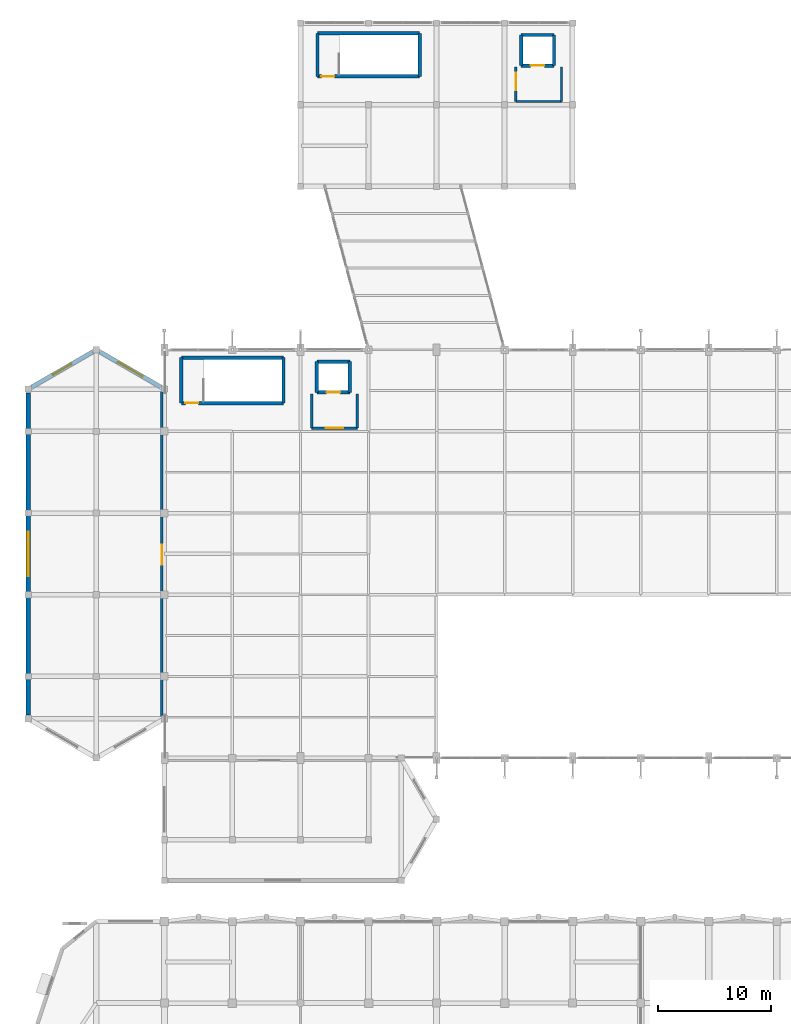
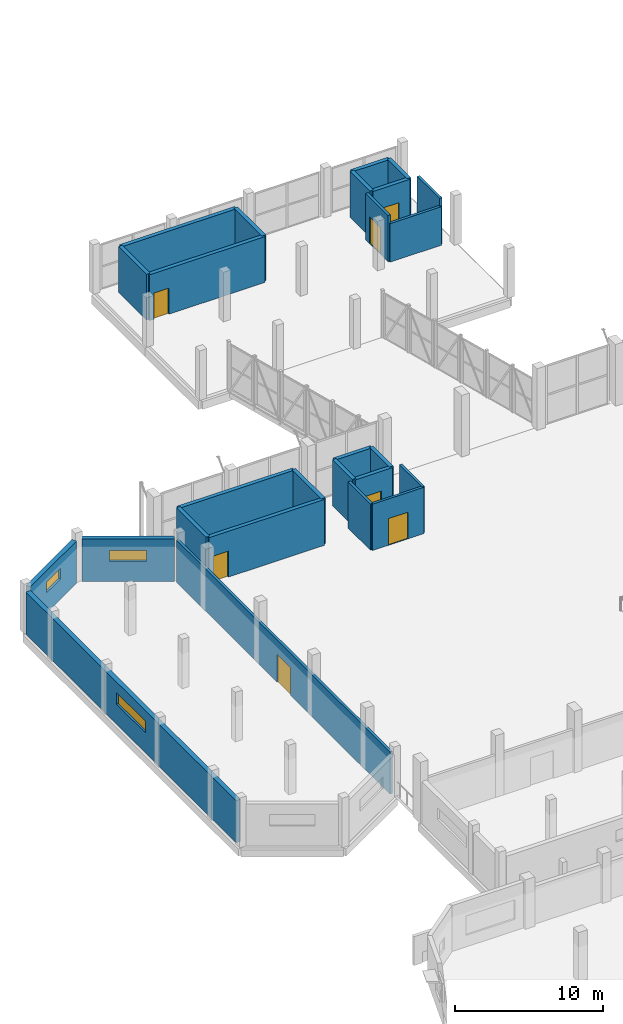
# One storey, part 109 of 127: 26 walls, 7 doors, 3 windows, 10 openings.
"""IFC4 building model written with IfcOpenShell, lengths in metres."""

from ifc_helpers import new_model, si_unit, direction, frame, frame_2d, origin, place, context, subcontext, project, spatial, rectangle, extrude, material, layer, layer_set, type_object, element, fill, save


model = new_model("IFC4")

# Units and contexts
model_context = context("Model", 3, precision=1e-05, world=origin(), true_north=direction((0.0, 1.0)))
body_context = subcontext(model_context, "Body", "Model", "MODEL_VIEW")
ifc_project = project(units=[si_unit("LENGTHUNIT", "METRE"), si_unit("AREAUNIT", "SQUARE_METRE"), si_unit("VOLUMEUNIT", "CUBIC_METRE"), si_unit("PLANEANGLEUNIT", "RADIAN"), si_unit("MASSUNIT", "GRAM", prefix="KILO")], contexts=[model_context])

# Site, building, storey
site_placement = place(None, origin())
site = spatial("IfcSite", under=ifc_project, at=site_placement, CompositionType="ELEMENT")
building_placement = place(site_placement, origin())
building = spatial("IfcBuilding", under=site, at=building_placement, Name="Dunvalen Ferry Terminal", CompositionType="ELEMENT")
storey_placement = place(building_placement, frame((0.0, 0.0, 5.760009765625)))
storey = spatial("IfcBuildingStorey", under=building, at=storey_placement, Name="L01", CompositionType="ELEMENT", Elevation=5.760009765625)

# Wall, opening, window
ifc_material_1 = material(Name="Precast concrete C40/50", Category="concrete")
ifc_layer_1 = layer(ifc_material_1, 0.360107421875, Name="Precast concrete C40/50")
ifc_layer_set_1 = layer_set([ifc_layer_1], Name="Precast concrete C40/50")
wall_type_1 = type_object("IfcWallType", Name="ENV-WL-ANX360", PredefinedType="SOLIDWALL", material=ifc_layer_set_1)
wall_1_placement = place(storey_placement, frame((11.697021484375, 83.11083984375, 0.0), z_axis=(0.0, 0.0, 1.0), x_axis=(-0.866025010818, 0.500000680637, 0.0)))
wall_1 = element("IfcWall", 1, at=wall_1_placement, inside=storey, type_object=wall_type_1, Name="L01 V1AW Faceted Precast Wall 03", PredefinedType="SOLIDWALL", context=body_context, shape_type="SweptSolid", body=[
    extrude(rectangle(XDim=6.228515625, YDim=0.360107421875, at=frame_2d((3.1142578125, 0.0))), origin(), (0.0, 0.0, 1.0), 3.469970703125),
])
opening_1_placement = place(wall_1_placement, frame((1.864013671875, 0.0, 1.64990234375)))
opening_1 = element("IfcOpeningElement", 2, at=opening_1_placement, cuts=wall_1, Name="Opening W-15", PredefinedType="OPENING", context=body_context, shape_type="SweptSolid", body=[
    extrude(rectangle(XDim=2.5, YDim=0.89990234375, at=frame_2d((1.25, 0.449951171875))), frame((0.0, 0.18994140625, 0.0), z_axis=(0.0, -1.0, 0.0), x_axis=(1.0, 0.0, 0.0)), (0.0, 0.0, 1.0), 0.380126953125),
])
ifc_material_2 = material(Name="Thermally broken aluminium and double glazing", Category="aluminium")
window_type_1 = type_object("IfcWindowType", Name="ENV-WIN-CLR-15", PartitioningType="SINGLE_PANEL", PredefinedType="WINDOW", material=ifc_material_2)
window_1_placement = place(opening_1_placement, origin())
window_1 = element("IfcWindow", 3, at=window_1_placement, inside=storey, type_object=window_type_1, Name="L01 V1AW Clerestory Window 03", OverallHeight=0.89990234375, OverallWidth=2.5, PartitioningType="SINGLE_PANEL", PredefinedType="WINDOW", context=body_context, shape_type="SweptSolid", body=[
    extrude(rectangle(XDim=2.5, YDim=0.89990234375, at=frame_2d((1.25, 0.449951171875))), frame((0.0, 0.030029296875, 0.0), z_axis=(0.0, -1.0, 0.0), x_axis=(1.0, 0.0, 0.0)), (0.0, 0.0, 1.0), 0.06005859375),
])
fill(opening_1, window_1)

wall_2_placement = place(storey_placement, frame((5.697021484375, 86.22509765625, 0.0), z_axis=(0.0, 0.0, 1.0), x_axis=(-0.866025010818, -0.500000680637, 0.0)))
wall_2 = element("IfcWall", 4, at=wall_2_placement, inside=storey, type_object=wall_type_1, Name="L01 V1AW Faceted Precast Wall 04", PredefinedType="SOLIDWALL", context=body_context, shape_type="SweptSolid", body=[
    extrude(rectangle(XDim=6.228515625, YDim=0.360107421875, at=frame_2d((3.1142578125, 0.0))), origin(), (0.0, 0.0, 1.0), 3.469970703125),
])
opening_2_placement = place(wall_2_placement, frame((2.1640625, 0.0, 1.64990234375)))
opening_2 = element("IfcOpeningElement", 5, at=opening_2_placement, cuts=wall_2, Name="Opening W-16", PredefinedType="OPENING", context=body_context, shape_type="SweptSolid", body=[
    extrude(rectangle(XDim=1.89990234375, YDim=0.89990234375, at=frame_2d((0.949951171875, 0.449951171875))), frame((0.0, 0.18994140625, 0.0), z_axis=(0.0, -1.0, 0.0), x_axis=(1.0, 0.0, 0.0)), (0.0, 0.0, 1.0), 0.380126953125),
])
window_type_2 = type_object("IfcWindowType", Name="ENV-WIN-CLR-16", PartitioningType="SINGLE_PANEL", PredefinedType="WINDOW", material=ifc_material_2)
window_2_placement = place(opening_2_placement, origin())
window_2 = element("IfcWindow", 6, at=window_2_placement, inside=storey, type_object=window_type_2, Name="L01 V1AW Clerestory Window 04", OverallHeight=0.89990234375, OverallWidth=1.89990234375, PartitioningType="SINGLE_PANEL", PredefinedType="WINDOW", context=body_context, shape_type="SweptSolid", body=[
    extrude(rectangle(XDim=1.89990234375, YDim=0.89990234375, at=frame_2d((0.949951171875, 0.449951171875))), frame((0.0, 0.030029296875, 0.0), z_axis=(0.0, -1.0, 0.0), x_axis=(1.0, 0.0, 0.0)), (0.0, 0.0, 1.0), 0.06005859375),
])
fill(opening_2, window_2)

wall_3_placement = place(storey_placement, frame((0.0, 82.5859375, 0.0), z_axis=(0.0, 0.0, 1.0), x_axis=(0.0, -1.0, 0.0)))
wall_3 = element("IfcWall", 7, at=wall_3_placement, inside=storey, type_object=wall_type_1, Name="L01 V1AW Faceted Precast Wall 05", PredefinedType="SOLIDWALL", context=body_context, shape_type="SweptSolid", body=[
    extrude(rectangle(XDim=28.371826171875, YDim=0.360107421875, at=frame_2d((14.18603515625, 0.0))), origin(), (0.0, 0.0, 1.0), 3.469970703125),
])
opening_3_placement = place(wall_3_placement, frame((12.23583984375, 0.0, 1.64990234375)))
opening_3 = element("IfcOpeningElement", 8, at=opening_3_placement, cuts=wall_3, Name="Opening W-13", PredefinedType="OPENING", context=body_context, shape_type="SweptSolid", body=[
    extrude(rectangle(XDim=3.89990234375, YDim=0.949951171875, at=frame_2d((1.949951171875, 0.47509765625))), frame((0.0, 0.18994140625, 0.0), z_axis=(0.0, -1.0, 0.0), x_axis=(1.0, 0.0, 0.0)), (0.0, 0.0, 1.0), 0.380126953125),
])
window_type_3 = type_object("IfcWindowType", Name="ENV-WIN-CLR-13", PartitioningType="SINGLE_PANEL", PredefinedType="WINDOW", material=ifc_material_2)
window_3_placement = place(opening_3_placement, origin())
window_3 = element("IfcWindow", 9, at=window_3_placement, inside=storey, type_object=window_type_3, Name="L01 V1AW Clerestory Window 05", OverallHeight=0.949951171875, OverallWidth=3.89990234375, PartitioningType="SINGLE_PANEL", PredefinedType="WINDOW", context=body_context, shape_type="SweptSolid", body=[
    extrude(rectangle(XDim=3.89990234375, YDim=0.949951171875, at=frame_2d((1.949951171875, 0.47509765625))), frame((0.0, 0.030029296875, 0.0), z_axis=(0.0, -1.0, 0.0), x_axis=(1.0, 0.0, 0.0)), (0.0, 0.0, 1.0), 0.06005859375),
])
fill(opening_3, window_3)

# Wall
ifc_material_3 = material(Name="Autoclaved aerated concrete blockwork", Category="masonry")
ifc_layer_2 = layer(ifc_material_3, 0.199951171875, Name="Autoclaved aerated concrete blockwork")
ifc_layer_set_2 = layer_set([ifc_layer_2], Name="Autoclaved aerated concrete blockwork")
wall_type_2 = type_object("IfcWallType", Name="INT-WL-CMP200", PredefinedType="PARTITIONING", material=ifc_layer_set_2)
wall_4_placement = place(storey_placement, frame((24.989990234375, 82.510009765625, 0.0), z_axis=(0.0, 0.0, 1.0), x_axis=(0.0, -1.0, 0.0)))
element("IfcWall", 10, at=wall_4_placement, inside=storey, type_object=wall_type_2, Name="L01 L01 Lift Lobby LP-01 Partition 1", PredefinedType="PARTITIONING", context=body_context, shape_type="SweptSolid", body=[
    extrude(rectangle(XDim=3.02001953125, YDim=0.199951171875, at=frame_2d((1.510009765625, 0.0))), origin(), (0.0, 0.0, 1.0), 3.820068359375),
])

# Wall, opening, door
wall_5_placement = place(storey_placement, frame((24.989990234375, 79.489990234375, 0.0), z_axis=(0.0, 0.0, 1.0), x_axis=(1.0, 0.0, 0.0)))
wall_5 = element("IfcWall", 11, at=wall_5_placement, inside=storey, type_object=wall_type_2, Name="L01 L01 Lift Lobby LP-01 Partition 2", PredefinedType="PARTITIONING", context=body_context, shape_type="SweptSolid", body=[
    extrude(rectangle(XDim=4.02001953125, YDim=0.199951171875, at=frame_2d((2.010009765625, 0.0))), origin(), (0.0, 0.0, 1.0), 3.820068359375),
])
opening_4_placement = place(wall_5_placement, frame((1.260009765625, 0.0, 0.0)))
opening_4 = element("IfcOpeningElement", 12, at=opening_4_placement, cuts=wall_5, Name="Opening ID-04", PredefinedType="OPENING", context=body_context, shape_type="SweptSolid", body=[
    extrude(rectangle(XDim=1.5, YDim=2.199951171875, at=frame_2d((0.75, 1.10009765625))), frame((0.0, 0.10986328125, 0.0), z_axis=(0.0, -1.0, 0.0), x_axis=(1.0, 0.0, 0.0)), (0.0, 0.0, 1.0), 0.219970703125),
])
ifc_material_4 = material(Name="Anodised aluminium glazed fire door", Category="aluminium")
door_type_1 = type_object("IfcDoorType", Name="INT-DR-LOB-1500", OperationType="DOUBLE_SWING_LEFT", PredefinedType="DOOR", material=ifc_material_4)
door_1_placement = place(opening_4_placement, origin())
door_1 = element("IfcDoor", 13, at=door_1_placement, inside=storey, type_object=door_type_1, Name="L01 Lift Lobby LP-01 Door", OperationType="DOUBLE_SWING_LEFT", OverallHeight=2.199951171875, OverallWidth=1.5, PredefinedType="DOOR", context=body_context, shape_type="SweptSolid", body=[
    extrude(rectangle(XDim=1.5, YDim=2.199951171875, at=frame_2d((0.75, 1.10009765625))), frame((0.0, 0.02490234375, 0.0), z_axis=(0.0, -1.0, 0.0), x_axis=(1.0, 0.0, 0.0)), (0.0, 0.0, 1.0), 0.050048828125),
])
fill(opening_4, door_1)

# Wall
wall_6_placement = place(storey_placement, frame((29.010009765625, 79.489990234375, 0.0), z_axis=(0.0, 0.0, 1.0), x_axis=(0.0, 1.0, 0.0)))
element("IfcWall", 14, at=wall_6_placement, inside=storey, type_object=wall_type_2, Name="L01 L01 Lift Lobby LP-01 Partition 3", PredefinedType="PARTITIONING", context=body_context, shape_type="SweptSolid", body=[
    extrude(rectangle(XDim=3.02001953125, YDim=0.199951171875, at=frame_2d((1.510009765625, 0.0))), origin(), (0.0, 0.0, 1.0), 3.820068359375),
])

# Wall, opening, door
wall_7_placement = place(storey_placement, frame((42.989990234375, 111.31005859375, 0.0), z_axis=(0.0, 0.0, 1.0), x_axis=(0.0, -1.0, 0.0)))
wall_7 = element("IfcWall", 15, at=wall_7_placement, inside=storey, type_object=wall_type_2, Name="L01 L01 Lift Lobby LP-03 Partition 2", PredefinedType="PARTITIONING", context=body_context, shape_type="SweptSolid", body=[
    extrude(rectangle(XDim=3.02001953125, YDim=0.199951171875, at=frame_2d((1.510009765625, 0.0))), origin(), (0.0, 0.0, 1.0), 3.820068359375),
])
opening_5_placement = place(wall_7_placement, frame((0.508056640625, 0.0, 0.0)))
opening_5 = element("IfcOpeningElement", 16, at=opening_5_placement, cuts=wall_7, Name="Opening ID-04", PredefinedType="OPENING", context=body_context, shape_type="SweptSolid", body=[
    extrude(rectangle(XDim=1.5, YDim=2.199951171875, at=frame_2d((0.75, 1.10009765625))), frame((0.0, 0.10986328125, 0.0), z_axis=(0.0, -1.0, 0.0), x_axis=(1.0, 0.0, 0.0)), (0.0, 0.0, 1.0), 0.219970703125),
])
door_2_placement = place(opening_5_placement, origin())
door_2 = element("IfcDoor", 17, at=door_2_placement, inside=storey, type_object=door_type_1, Name="L01 Lift Lobby LP-03 Door", OperationType="DOUBLE_SWING_LEFT", OverallHeight=2.199951171875, OverallWidth=1.5, PredefinedType="DOOR", context=body_context, shape_type="SweptSolid", body=[
    extrude(rectangle(XDim=1.5, YDim=2.199951171875, at=frame_2d((0.75, 1.10009765625))), frame((0.0, 0.02490234375, 0.0), z_axis=(0.0, -1.0, 0.0), x_axis=(1.0, 0.0, 0.0)), (0.0, 0.0, 1.0), 0.050048828125),
])
fill(opening_5, door_2)

# Walls
wall_8_placement = place(storey_placement, frame((42.989990234375, 108.2900390625, 0.0), z_axis=(0.0, 0.0, 1.0), x_axis=(1.0, 0.0, 0.0)))
element("IfcWall", 18, at=wall_8_placement, inside=storey, type_object=wall_type_2, Name="L01 L01 Lift Lobby LP-03 Partition 3", PredefinedType="PARTITIONING", context=body_context, shape_type="SweptSolid", body=[
    extrude(rectangle(XDim=4.02001953125, YDim=0.199951171875, at=frame_2d((2.010009765625, 0.0))), origin(), (0.0, 0.0, 1.0), 3.179931640625),
])
wall_9_placement = place(storey_placement, frame((47.010009765625, 108.2900390625, 0.0), z_axis=(0.0, 0.0, 1.0), x_axis=(0.0, 1.0, 0.0)))
element("IfcWall", 19, at=wall_9_placement, inside=storey, type_object=wall_type_2, Name="L01 L01 Lift Lobby LP-03 Partition 4", PredefinedType="PARTITIONING", context=body_context, shape_type="SweptSolid", body=[
    extrude(rectangle(XDim=3.02001953125, YDim=0.199951171875, at=frame_2d((1.510009765625, 0.0))), origin(), (0.0, 0.0, 1.0), 3.820068359375),
])

# Wall, opening, door
wall_10_placement = place(storey_placement, frame((11.780029296875, 53.9912109375, 0.0), z_axis=(0.0, 0.0, 1.0), x_axis=(0.0, 1.0, 0.0)))
wall_10 = element("IfcWall", 20, at=wall_10_placement, inside=storey, type_object=wall_type_2, Name="L01 L01 Outbound Baggage Screening Control Room Partition 3", PredefinedType="PARTITIONING", context=body_context, shape_type="SweptSolid", body=[
    extrude(rectangle(XDim=28.817626953125, YDim=0.199951171875, at=frame_2d((14.40869140625, 0.0))), origin(), (0.0, 0.0, 1.0), 3.469970703125),
])
opening_6_placement = place(wall_10_placement, frame((13.43359375, 0.0, 0.0)))
opening_6 = element("IfcOpeningElement", 21, at=opening_6_placement, cuts=wall_10, Name="Opening ID-07", PredefinedType="OPENING", context=body_context, shape_type="SweptSolid", body=[
    extrude(rectangle(XDim=1.800048828125, YDim=2.300048828125, at=frame_2d((0.89990234375, 1.14990234375))), frame((0.0, 0.10986328125, 0.0), z_axis=(0.0, -1.0, 0.0), x_axis=(1.0, 0.0, 0.0)), (0.0, 0.0, 1.0), 0.219970703125),
])
ifc_material_5 = material(Name="Thermally broken aluminium fire door", Category="aluminium")
door_type_2 = type_object("IfcDoorType", Name="INT-DR-ANX-1800", OperationType="DOUBLE_SWING_LEFT", PredefinedType="DOOR", material=ifc_material_5)
door_3_placement = place(opening_6_placement, origin())
door_3 = element("IfcDoor", 22, at=door_3_placement, inside=storey, type_object=door_type_2, Name="L01 Outbound Baggage Screening Control Room Door", OperationType="DOUBLE_SWING_LEFT", OverallHeight=2.300048828125, OverallWidth=1.800048828125, PredefinedType="DOOR", context=body_context, shape_type="SweptSolid", body=[
    extrude(rectangle(XDim=1.800048828125, YDim=2.300048828125, at=frame_2d((0.89990234375, 1.14990234375))), frame((0.0, 0.02490234375, 0.0), z_axis=(0.0, -1.0, 0.0), x_axis=(1.0, 0.0, 0.0)), (0.0, 0.0, 1.0), 0.050048828125),
])
fill(opening_6, door_3)

# Walls
ifc_material_6 = material(Name="Concrete C40/50", Category="concrete")
ifc_layer_3 = layer(ifc_material_6, 0.300048828125, Name="Concrete C40/50")
ifc_layer_set_3 = layer_set([ifc_layer_3], Name="Concrete C40/50")
wall_type_3 = type_object("IfcWallType", Name="STR-WL-SHR300", PredefinedType="SHEAR", material=ifc_layer_set_3)
for number, where, z_axis, x_axis, name in (
    (23, (13.5, 81.699951171875, 0.0), (0.0, 0.0, 1.0), (0.0, 1.0, 0.0), "L01 ST7 Core West Shear Wall"),
    (24, (22.5, 81.699951171875, 0.0), (0.0, 0.0, 1.0), (0.0, 1.0, 0.0), "L01 ST7 Core East Shear Wall"),
):
    element("IfcWall", number, at=place(storey_placement, frame(where, z_axis=z_axis, x_axis=x_axis)), inside=storey, type_object=wall_type_3, Name=name, PredefinedType="SHEAR", context=body_context, shape_type="SweptSolid", body=[
        extrude(rectangle(XDim=4.0, YDim=0.300048828125, at=frame_2d((2.0, 0.0))), origin(), (0.0, 0.0, 1.0), 3.780029296875),
    ])
for number, where, z_axis, x_axis, name in (
    (25, (25.5, 110.5, 0.0), (0.0, 0.0, 1.0), (0.0, 1.0, 0.0), "L01 ST11 Core West Shear Wall"),
    (26, (34.5, 110.5, 0.0), (0.0, 0.0, 1.0), (0.0, 1.0, 0.0), "L01 ST11 Core East Shear Wall"),
):
    element("IfcWall", number, at=place(storey_placement, frame(where, z_axis=z_axis, x_axis=x_axis)), inside=storey, type_object=wall_type_3, Name=name, PredefinedType="SHEAR", context=body_context, shape_type="SweptSolid", body=[
        extrude(rectangle(XDim=3.800048828125, YDim=0.300048828125, at=frame_2d((1.89990234375, 0.0))), origin(), (0.0, 0.0, 1.0), 3.780029296875),
    ])
wall_11_placement = place(storey_placement, frame((13.5, 85.699951171875, 0.0), z_axis=(0.0, 0.0, 1.0), x_axis=(1.0, 0.0, 0.0)))
element("IfcWall", 27, at=wall_11_placement, inside=storey, type_object=wall_type_3, Name="L01 ST7 Core North Shear Wall", PredefinedType="SHEAR", context=body_context, shape_type="SweptSolid", body=[
    extrude(rectangle(XDim=9.0, YDim=0.300048828125, at=frame_2d((4.5, 0.0))), origin(), (0.0, 0.0, 1.0), 3.780029296875),
])

# Wall, opening, door
wall_12_placement = place(storey_placement, frame((13.5, 81.699951171875, 0.0), z_axis=(0.0, 0.0, 1.0), x_axis=(1.0, 0.0, 0.0)))
wall_12 = element("IfcWall", 28, at=wall_12_placement, inside=storey, type_object=wall_type_3, Name="L01 ST7 Core South Shear Wall", PredefinedType="SHEAR", context=body_context, shape_type="SweptSolid", body=[
    extrude(rectangle(XDim=9.0, YDim=0.300048828125, at=frame_2d((4.5, 0.0))), origin(), (0.0, 0.0, 1.0), 3.780029296875),
])
opening_7_placement = place(wall_12_placement, frame((0.35009765625, 0.0, 0.0)))
opening_7 = element("IfcOpeningElement", 29, at=opening_7_placement, cuts=wall_12, Name="Opening ID-02", PredefinedType="OPENING", context=body_context, shape_type="SweptSolid", body=[
    extrude(rectangle(XDim=1.14990234375, YDim=2.14990234375, at=frame_2d((0.574951171875, 1.074951171875))), frame((0.0, 0.16015625, 0.0), z_axis=(0.0, -1.0, 0.0), x_axis=(1.0, 0.0, 0.0)), (0.0, 0.0, 1.0), 0.320068359375),
])
ifc_material_7 = material(Name="Powder-coated steel fire door", Category="steel")
door_type_3 = type_object("IfcDoorType", Name="INT-DR-STR-1150", OperationType="NOTDEFINED", PredefinedType="DOOR", material=ifc_material_7)
door_4_placement = place(opening_7_placement, frame((1.14990234375, 0.0, 0.0), z_axis=(0.0, 0.0, 1.0), x_axis=(-1.0, 0.0, 0.0)))
door_4 = element("IfcDoor", 30, at=door_4_placement, inside=storey, type_object=door_type_3, Name="L01 ST7 Escape Stair Fire Door", OperationType="SINGLE_SWING_LEFT", OverallHeight=2.14990234375, OverallWidth=1.14990234375, PredefinedType="DOOR", context=body_context, shape_type="SweptSolid", body=[
    extrude(rectangle(XDim=1.14990234375, YDim=2.14990234375, at=frame_2d((0.574951171875, 1.074951171875))), frame((0.0, 0.02490234375, 0.0), z_axis=(0.0, -1.0, 0.0), x_axis=(1.0, 0.0, 0.0)), (0.0, 0.0, 1.0), 0.050048828125),
])
fill(opening_7, door_4)

# Wall
wall_13_placement = place(storey_placement, frame((25.5, 114.300048828125, 0.0), z_axis=(0.0, 0.0, 1.0), x_axis=(1.0, 0.0, 0.0)))
element("IfcWall", 31, at=wall_13_placement, inside=storey, type_object=wall_type_3, Name="L01 ST11 Core North Shear Wall", PredefinedType="SHEAR", context=body_context, shape_type="SweptSolid", body=[
    extrude(rectangle(XDim=9.0, YDim=0.300048828125, at=frame_2d((4.5, 0.0))), origin(), (0.0, 0.0, 1.0), 3.780029296875),
])

# Wall, opening, door
wall_14_placement = place(storey_placement, frame((25.5, 110.5, 0.0), z_axis=(0.0, 0.0, 1.0), x_axis=(1.0, 0.0, 0.0)))
wall_14 = element("IfcWall", 32, at=wall_14_placement, inside=storey, type_object=wall_type_3, Name="L01 ST11 Core South Shear Wall", PredefinedType="SHEAR", context=body_context, shape_type="SweptSolid", body=[
    extrude(rectangle(XDim=9.0, YDim=0.300048828125, at=frame_2d((4.5, 0.0))), origin(), (0.0, 0.0, 1.0), 3.780029296875),
])
opening_8_placement = place(wall_14_placement, frame((0.35009765625, 0.0, 0.0)))
opening_8 = element("IfcOpeningElement", 33, at=opening_8_placement, cuts=wall_14, Name="Opening ID-02", PredefinedType="OPENING", context=body_context, shape_type="SweptSolid", body=[
    extrude(rectangle(XDim=1.14990234375, YDim=2.14990234375, at=frame_2d((0.574951171875, 1.074951171875))), frame((0.0, 0.16015625, 0.0), z_axis=(0.0, -1.0, 0.0), x_axis=(1.0, 0.0, 0.0)), (0.0, 0.0, 1.0), 0.320068359375),
])
door_5_placement = place(opening_8_placement, frame((1.14990234375, 0.0, 0.0), z_axis=(0.0, 0.0, 1.0), x_axis=(-1.0, 0.0, 0.0)))
door_5 = element("IfcDoor", 34, at=door_5_placement, inside=storey, type_object=door_type_3, Name="L01 ST11 Escape Stair Fire Door", OperationType="SINGLE_SWING_LEFT", OverallHeight=2.14990234375, OverallWidth=1.14990234375, PredefinedType="DOOR", context=body_context, shape_type="SweptSolid", body=[
    extrude(rectangle(XDim=1.14990234375, YDim=2.14990234375, at=frame_2d((0.574951171875, 1.074951171875))), frame((0.0, 0.02490234375, 0.0), z_axis=(0.0, -1.0, 0.0), x_axis=(1.0, 0.0, 0.0)), (0.0, 0.0, 1.0), 0.050048828125),
])
fill(opening_8, door_5)

wall_15_placement = place(storey_placement, frame((25.449951171875, 82.64990234375, 0.0), z_axis=(0.0, 0.0, 1.0), x_axis=(1.0, 0.0, 0.0)))
wall_15 = element("IfcWall", 35, at=wall_15_placement, inside=storey, type_object=wall_type_3, Name="L01 LP-01 Lift Shaft S Wall", PredefinedType="SHEAR", context=body_context, shape_type="SweptSolid", body=[
    extrude(rectangle(XDim=2.900146484375, YDim=0.300048828125, at=frame_2d((1.4501953125, 0.0))), origin(), (0.0, 0.0, 1.0), 3.780029296875),
])
opening_9_placement = place(wall_15_placement, frame((0.85009765625, 0.0, 0.0)))
opening_9 = element("IfcOpeningElement", 36, at=opening_9_placement, cuts=wall_15, Name="Opening LD-02", PredefinedType="OPENING", context=body_context, shape_type="SweptSolid", body=[
    extrude(rectangle(XDim=1.199951171875, YDim=2.14990234375, at=frame_2d((0.60009765625, 1.074951171875))), frame((0.0, 0.16015625, 0.0), z_axis=(0.0, -1.0, 0.0), x_axis=(1.0, 0.0, 0.0)), (0.0, 0.0, 1.0), 0.320068359375),
])
ifc_material_8 = material(Name="Brushed 316 stainless steel", Category="steel")
door_type_4 = type_object("IfcDoorType", Name="INT-DR-LFT-1200", OperationType="SLIDING_TO_LEFT", PredefinedType="DOOR", material=ifc_material_8)
door_6_placement = place(opening_9_placement, origin())
door_6 = element("IfcDoor", 37, at=door_6_placement, inside=storey, type_object=door_type_4, Name="L01 LP-01 Lift Sliding Landing Door", OperationType="SLIDING_TO_LEFT", OverallHeight=2.14990234375, OverallWidth=1.199951171875, PredefinedType="DOOR", context=body_context, shape_type="SweptSolid", body=[
    extrude(rectangle(XDim=1.199951171875, YDim=2.14990234375, at=frame_2d((0.60009765625, 1.074951171875))), frame((0.0, 0.02490234375, 0.0), z_axis=(0.0, -1.0, 0.0), x_axis=(1.0, 0.0, 0.0)), (0.0, 0.0, 1.0), 0.050048828125),
])
fill(opening_9, door_6)

# Walls
wall_16_placement = place(storey_placement, frame((25.449951171875, 85.35009765625, 0.0), z_axis=(0.0, 0.0, 1.0), x_axis=(1.0, 0.0, 0.0)))
element("IfcWall", 38, at=wall_16_placement, inside=storey, type_object=wall_type_3, Name="L01 LP-01 Lift Shaft N Wall", PredefinedType="SHEAR", context=body_context, shape_type="SweptSolid", body=[
    extrude(rectangle(XDim=2.900146484375, YDim=0.300048828125, at=frame_2d((1.4501953125, 0.0))), origin(), (0.0, 0.0, 1.0), 3.780029296875),
])
for number, where, z_axis, x_axis, name in (
    (39, (25.449951171875, 82.64990234375, 0.0), (0.0, 0.0, 1.0), (0.0, 1.0, 0.0), "L01 LP-01 Lift Shaft W Wall"),
    (40, (28.35009765625, 82.64990234375, 0.0), (0.0, 0.0, 1.0), (0.0, 1.0, 0.0), "L01 LP-01 Lift Shaft E Wall"),
):
    element("IfcWall", number, at=place(storey_placement, frame(where, z_axis=z_axis, x_axis=x_axis)), inside=storey, type_object=wall_type_3, Name=name, PredefinedType="SHEAR", context=body_context, shape_type="SweptSolid", body=[
        extrude(rectangle(XDim=2.7001953125, YDim=0.300048828125, at=frame_2d((1.35009765625, 0.0))), origin(), (0.0, 0.0, 1.0), 3.780029296875),
    ])

# Wall, opening, door
wall_17_placement = place(storey_placement, frame((43.449951171875, 111.449951171875, 0.0), z_axis=(0.0, 0.0, 1.0), x_axis=(1.0, 0.0, 0.0)))
wall_17 = element("IfcWall", 41, at=wall_17_placement, inside=storey, type_object=wall_type_3, Name="L01 LP-03 Lift Shaft S Wall", PredefinedType="SHEAR", context=body_context, shape_type="SweptSolid", body=[
    extrude(rectangle(XDim=2.900146484375, YDim=0.300048828125, at=frame_2d((1.4501953125, 0.0))), origin(), (0.0, 0.0, 1.0), 3.780029296875),
])
opening_10_placement = place(wall_17_placement, frame((0.85009765625, 0.0, 0.0)))
opening_10 = element("IfcOpeningElement", 42, at=opening_10_placement, cuts=wall_17, Name="Opening LD-02", PredefinedType="OPENING", context=body_context, shape_type="SweptSolid", body=[
    extrude(rectangle(XDim=1.199951171875, YDim=2.14990234375, at=frame_2d((0.60009765625, 1.074951171875))), frame((0.0, 0.16015625, 0.0), z_axis=(0.0, -1.0, 0.0), x_axis=(1.0, 0.0, 0.0)), (0.0, 0.0, 1.0), 0.320068359375),
])
door_7_placement = place(opening_10_placement, origin())
door_7 = element("IfcDoor", 43, at=door_7_placement, inside=storey, type_object=door_type_4, Name="L01 LP-03 Lift Sliding Landing Door", OperationType="SLIDING_TO_LEFT", OverallHeight=2.14990234375, OverallWidth=1.199951171875, PredefinedType="DOOR", context=body_context, shape_type="SweptSolid", body=[
    extrude(rectangle(XDim=1.199951171875, YDim=2.14990234375, at=frame_2d((0.60009765625, 1.074951171875))), frame((0.0, 0.02490234375, 0.0), z_axis=(0.0, -1.0, 0.0), x_axis=(1.0, 0.0, 0.0)), (0.0, 0.0, 1.0), 0.050048828125),
])
fill(opening_10, door_7)

# Walls
wall_18_placement = place(storey_placement, frame((43.449951171875, 114.14990234375, 0.0), z_axis=(0.0, 0.0, 1.0), x_axis=(1.0, 0.0, 0.0)))
element("IfcWall", 44, at=wall_18_placement, inside=storey, type_object=wall_type_3, Name="L01 LP-03 Lift Shaft N Wall", PredefinedType="SHEAR", context=body_context, shape_type="SweptSolid", body=[
    extrude(rectangle(XDim=2.900146484375, YDim=0.300048828125, at=frame_2d((1.4501953125, 0.0))), origin(), (0.0, 0.0, 1.0), 3.780029296875),
])
for number, where, z_axis, x_axis, name in (
    (45, (43.449951171875, 111.449951171875, 0.0), (0.0, 0.0, 1.0), (0.0, 1.0, 0.0), "L01 LP-03 Lift Shaft W Wall"),
    (46, (46.35009765625, 111.449951171875, 0.0), (0.0, 0.0, 1.0), (0.0, 1.0, 0.0), "L01 LP-03 Lift Shaft E Wall"),
):
    element("IfcWall", number, at=place(storey_placement, frame(where, z_axis=z_axis, x_axis=x_axis)), inside=storey, type_object=wall_type_3, Name=name, PredefinedType="SHEAR", context=body_context, shape_type="SweptSolid", body=[
        extrude(rectangle(XDim=2.699951171875, YDim=0.300048828125, at=frame_2d((1.35009765625, 0.0))), origin(), (0.0, 0.0, 1.0), 3.780029296875),
    ])

save(model, "model.ifc")
